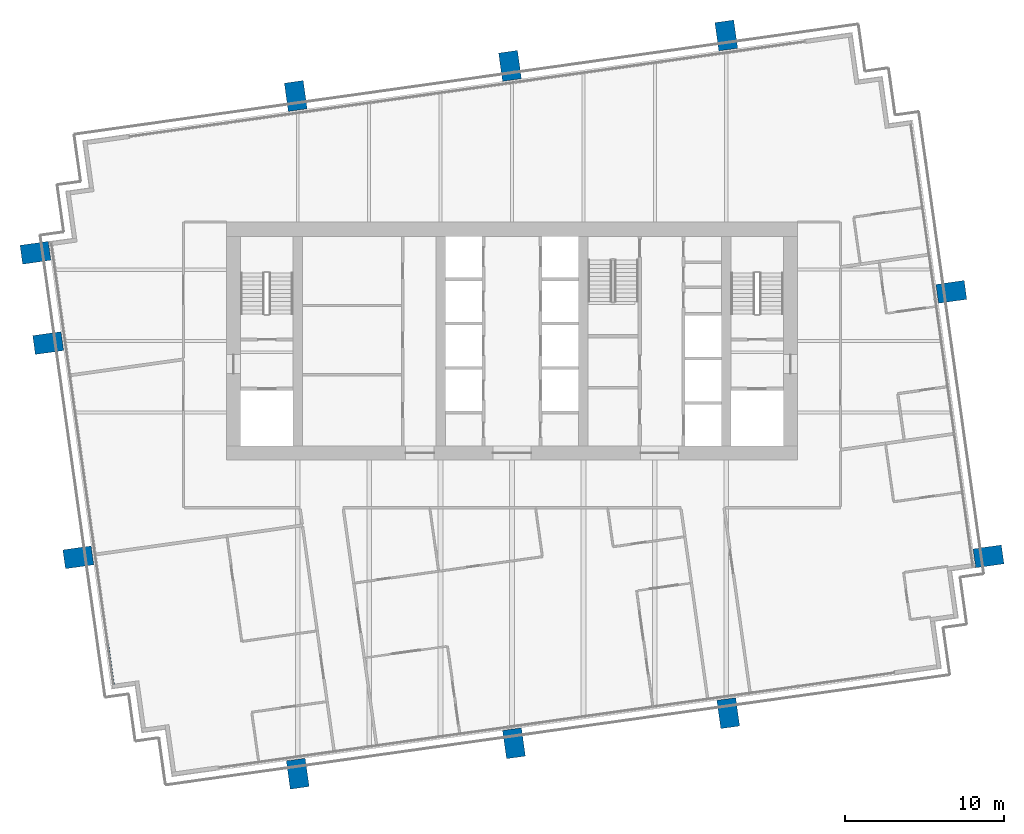
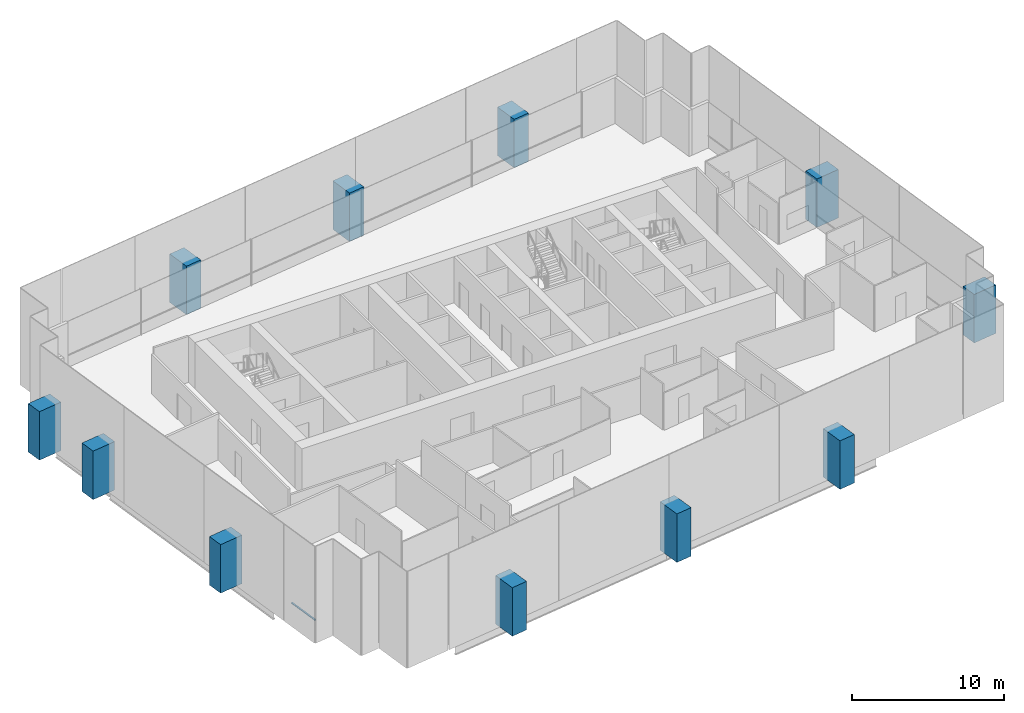
# One storey, part 1 of 17: 11 columns, 1 member, 1 element without a shape of its own.
"""IFC4 building model written with IfcOpenShell, lengths in metres."""

from ifc_helpers import new_model, si_unit, direction, frame, origin, origin_2d, place, context, subcontext, project, spatial, rectangle, extrude, material, material_profile, profile_set, type_object, element, aggregate, save


model = new_model("IFC4")

# Units and contexts
model_context = context("Model", 3, precision=1e-05, world=origin(), true_north=direction((0.0, 1.0)))
body_context = subcontext(model_context, "Body", "Model", "MODEL_VIEW")
ifc_project = project(units=[si_unit("LENGTHUNIT", "METRE"), si_unit("AREAUNIT", "SQUARE_METRE"), si_unit("VOLUMEUNIT", "CUBIC_METRE"), si_unit("PLANEANGLEUNIT", "RADIAN"), si_unit("MASSUNIT", "GRAM", prefix="KILO")], contexts=[model_context])

# Site, building, storey
site_placement = place(None, origin())
site = spatial("IfcSite", under=ifc_project, at=site_placement, CompositionType="ELEMENT")
building_placement = place(site_placement, origin())
building = spatial("IfcBuilding", under=site, at=building_placement, Name="Rattan Terrace Tower", CompositionType="ELEMENT")
storey_placement = place(building_placement, frame((0.0, 0.0, 180.199951171875)))
storey = spatial("IfcBuildingStorey", under=building, at=storey_placement, Name="L41", CompositionType="ELEMENT", Elevation=180.199951171875)

# Columns
ifc_material_1 = material(Name="Concrete C50/60", Category="concrete")
ifc_material_profile_1 = material_profile(ifc_material_1, rectangle(XDim=1.199951171875, YDim=1.800048828125, at=origin_2d()), Name="CFT 1800x1200")
ifc_profile_set_1 = profile_set([ifc_material_profile_1], Name="Concrete C50/60")
column_type = type_object("IfcColumnType", Name="Frame exoskeleton column CFT 1800x1200", PredefinedType="COLUMN", material=ifc_profile_set_1)
for number, where, z_axis, x_axis, name in (
    (1, (-13.5, -27.256103515625, -0.199951171875), (0.0, 0.0, 1.0), (0.99027049762, 0.139155817501, 0.0), "exo-L41-001"),
    (2, (0.125, -25.340087890625, -0.199951171875), (0.0, 0.0, 1.0), (0.99027049762, 0.139155817501, 0.0), "exo-L41-002"),
    (3, (13.625, -23.443115234375, -0.199951171875), (0.0, 0.0, 1.0), (0.99027049762, 0.139155817501, 0.0), "exo-L41-003"),
    (4, (-27.325927734375, -13.625, -0.199951171875), (0.0, 0.0, 1.0), (-0.139190384377, 0.990265639562, 0.0), "exo-L41-004"),
    (5, (30.02392578125, -13.56494140625, -0.199951171875), (0.0, 0.0, 1.0), (-0.139190384377, 0.990265639562, 0.0), "exo-L41-005"),
    (6, (-29.22412109375, -0.125, -0.199951171875), (0.0, 0.0, 1.0), (-0.139190384377, 0.990265639562, 0.0), "exo-L41-006"),
    (7, (27.680908203125, 3.10009765625, -0.199951171875), (0.0, 0.0, 1.0), (-0.139190384377, 0.990265639562, 0.0), "exo-L41-007"),
    (8, (-30.02392578125, 5.56494140625, -0.199951171875), (0.0, 0.0, 1.0), (-0.139190384377, 0.990265639562, 0.0), "exo-L41-008"),
    (9, (-13.625, 15.443115234375, -0.199951171875), (0.0, 0.0, 1.0), (0.99027049762, 0.139155817501, 0.0), "exo-L41-009"),
    (10, (-0.125, 17.340087890625, -0.199951171875), (0.0, 0.0, 1.0), (0.99027049762, 0.139155817501, 0.0), "exo-L41-010"),
    (11, (13.5, 19.256103515625, -0.199951171875), (0.0, 0.0, 1.0), (0.99027049762, 0.139155817501, 0.0), "exo-L41-011"),
):
    element("IfcColumn", number, at=place(storey_placement, frame(where, z_axis=z_axis, x_axis=x_axis)), inside=storey, type_object=column_type, Name=name, PredefinedType="COLUMN", context=body_context, shape_type="SweptSolid", body=[
        extrude(rectangle(XDim=1.199951171875, YDim=1.800048828125, at=origin_2d()), origin(), (0.0, 0.0, 1.0), 3.89990234375),
    ])

# Curtain wall, member
ifc_material_2 = material(Name="Aluminium and glass", Category="aluminium")
curtain_wall_type = type_object("IfcCurtainWallType", Name="Facade Unitised Curtain Wall", PredefinedType="NOTDEFINED", material=ifc_material_2)
curtain_wall_placement = place(storey_placement, origin())
curtain_wall = element("IfcCurtainWall", 12, at=curtain_wall_placement, inside=storey, type_object=curtain_wall_type, Name="Curtain wall L41-3", PredefinedType="NOTDEFINED")
ifc_material_3 = material(Name="Aluminium", Category="aluminium")
ifc_material_profile_2 = material_profile(ifc_material_3, rectangle(XDim=0.1201171875, YDim=0.06005859375, at=origin_2d()), Name="Aluminium 120x60")
ifc_profile_set_2 = profile_set([ifc_material_profile_2], Name="Aluminium")
member_type = type_object("IfcMemberType", Name="Facade CW Transom 120x60", PredefinedType="USERDEFINED", material=ifc_profile_set_2)
member_placement = place(storey_placement, frame((-25.47314453125, -19.122314453125, 1.0), z_axis=(0.139106713562, -0.990277396613, 0.0), x_axis=(0.990277396613, 0.139106713562, 0.0)))
member = element("IfcMember", 13, at=member_placement, type_object=member_type, Name="Transom cwl-L41-003.4", ObjectType="TRANSOM", PredefinedType="USERDEFINED", context=body_context, shape_type="SweptSolid", body=[
    extrude(rectangle(XDim=0.1201171875, YDim=0.06005859375, at=origin_2d()), origin(), (0.0, 0.0, 1.0), 2.525634765625),
])
aggregate(curtain_wall, [member])

save(model, "model.ifc")
